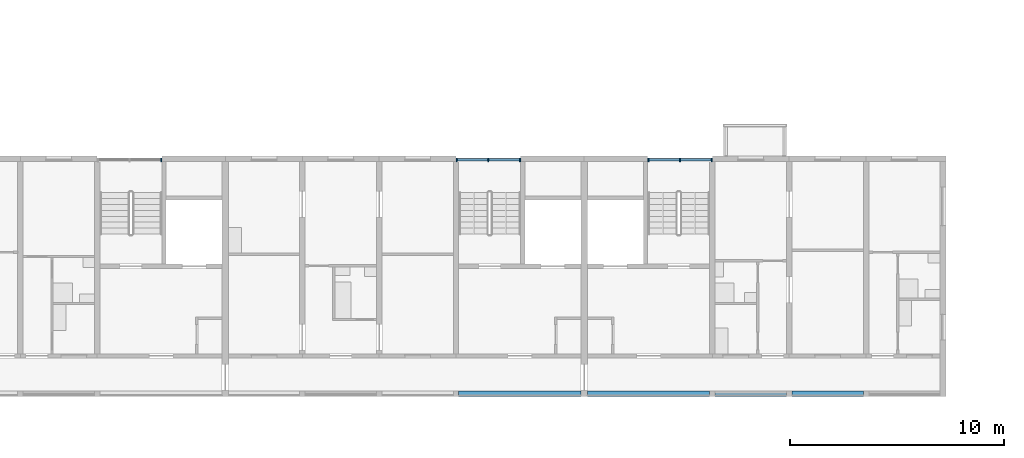
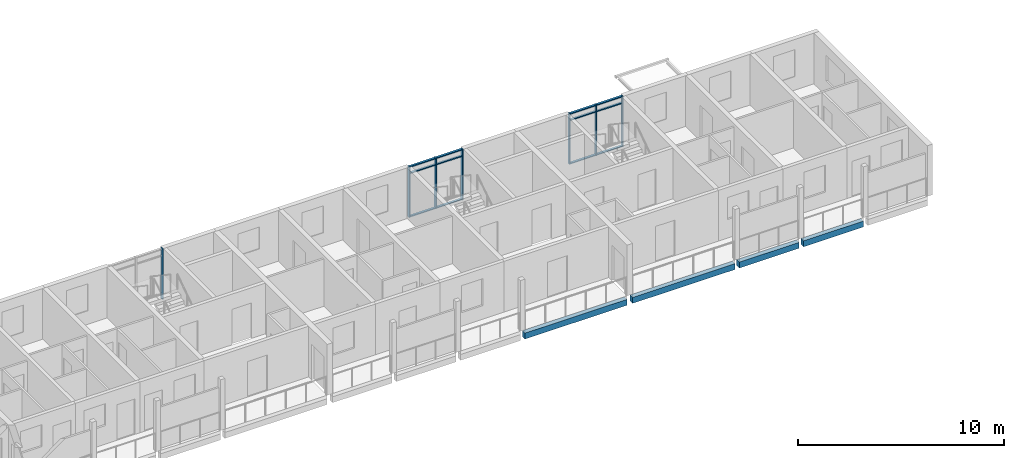
# One storey, part 9 of 100: 19 members, 4 beams, 3 elements without a shape of their own.
"""IFC4 building model written with IfcOpenShell, lengths in metres."""

from ifc_helpers import new_model, si_unit, direction, frame, origin, origin_2d, place, context, subcontext, project, spatial, rectangle, extrude, material, material_profile, profile_set, type_object, element, aggregate, save


model = new_model("IFC4")

# Units and contexts
model_context = context("Model", 3, precision=1e-05, world=origin(), true_north=direction((0.0, 1.0)))
body_context = subcontext(model_context, "Body", "Model", "MODEL_VIEW")
ifc_project = project(units=[si_unit("LENGTHUNIT", "METRE"), si_unit("AREAUNIT", "SQUARE_METRE"), si_unit("VOLUMEUNIT", "CUBIC_METRE"), si_unit("PLANEANGLEUNIT", "RADIAN"), si_unit("MASSUNIT", "GRAM", prefix="KILO")], contexts=[model_context])

# Site, building, storey
site_placement = place(None, origin())
site = spatial("IfcSite", under=ifc_project, at=site_placement, CompositionType="ELEMENT")
building_placement = place(site_placement, origin())
building = spatial("IfcBuilding", under=site, at=building_placement, Name="Ridgestep Commons", CompositionType="ELEMENT")
storey_placement = place(building_placement, frame((0.0, 0.0, 9.0)))
storey = spatial("IfcBuildingStorey", under=building, at=storey_placement, Name="L03", CompositionType="ELEMENT", Elevation=9.0)

# Beams
ifc_material_1 = material(Name="Precast concrete C40/50", Category="concrete")
ifc_material_profile_1 = material_profile(ifc_material_1, rectangle(XDim=0.25, YDim=0.35009765625, at=origin_2d()), Name="PC 250x350")
ifc_profile_set_1 = profile_set([ifc_material_profile_1], Name="Precast concrete C40/50")
beam_type = type_object("IfcBeamType", Name="Loggia edge beam 250 x 350", PredefinedType="SPANDREL", material=ifc_profile_set_1)
for number, where, z_axis, x_axis, name in (
    (1, (90.125, 11.875, -0.375), (1.0, 0.0, 0.0), (0.0, 1.0, 0.0), "Loggia edge beam A5C L03"),
    (2, (96.14990234375, 11.875, -0.375), (1.0, 0.0, 0.0), (0.0, 1.0, 0.0), "Loggia edge beam A6C L03"),
):
    element("IfcBeam", number, at=place(storey_placement, frame(where, z_axis=z_axis, x_axis=x_axis)), inside=storey, type_object=beam_type, Name=name, PredefinedType="SPANDREL", context=body_context, shape_type="SweptSolid", body=[
        extrude(rectangle(XDim=0.25, YDim=0.35009765625, at=origin_2d()), origin(), (0.0, 0.0, 1.0), 5.72509765625),
    ])
beam_1_placement = place(storey_placement, frame((102.125, 11.875, -0.375), z_axis=(1.0, 0.0, 0.0), x_axis=(0.0, 1.0, 0.0)))
element("IfcBeam", 3, at=beam_1_placement, inside=storey, type_object=beam_type, Name="Loggia edge beam A6T3 L03", PredefinedType="SPANDREL", context=body_context, shape_type="SweptSolid", body=[
    extrude(rectangle(XDim=0.25, YDim=0.35009765625, at=origin_2d()), origin(), (0.0, 0.0, 1.0), 3.35009765625),
])
beam_2_placement = place(storey_placement, frame((105.72509765625, 11.875, -0.375), z_axis=(1.0, 0.0, 0.0), x_axis=(0.0, 1.0, 0.0)))
element("IfcBeam", 4, at=beam_2_placement, inside=storey, type_object=beam_type, Name="Loggia edge beam A6T2 L03", PredefinedType="SPANDREL", context=body_context, shape_type="SweptSolid", body=[
    extrude(rectangle(XDim=0.25, YDim=0.35009765625, at=origin_2d()), origin(), (0.0, 0.0, 1.0), 3.349853515625),
])

# Curtain wall, member
ifc_material_2 = material(Name="Aluminium 6063-T6 and glass", Category="aluminium")
curtain_wall_type = type_object("IfcCurtainWallType", Name="Curtain wall stair strip", PredefinedType="NOTDEFINED", material=ifc_material_2)
curtain_wall_1_placement = place(storey_placement, origin())
curtain_wall_1 = element("IfcCurtainWall", 5, at=curtain_wall_1_placement, inside=storey, type_object=curtain_wall_type, Name="Curtain wall A4C level 03", PredefinedType="NOTDEFINED")
ifc_material_3 = material(Name="Aluminium 6063-T6", Category="aluminium")
ifc_material_profile_2 = material_profile(ifc_material_3, rectangle(XDim=0.159912109375, YDim=0.06005859375, at=origin_2d()), Name="Mullion 60 x 160")
ifc_profile_set_2 = profile_set([ifc_material_profile_2], Name="Aluminium 6063-T6")
member_type_1 = type_object("IfcMemberType", Name="Mullion 60 x 160", PredefinedType="MULLION", material=ifc_profile_set_2)
member_1_placement = place(storey_placement, frame((76.195068359375, 22.830078125, 0.0), z_axis=(0.0, 0.0, 1.0), x_axis=(0.0, 1.0, 0.0)))
member_1 = element("IfcMember", 6, at=member_1_placement, type_object=member_type_1, Name="CW1 mullion 3", PredefinedType="MULLION", context=body_context, shape_type="SweptSolid", body=[
    extrude(rectangle(XDim=0.159912109375, YDim=0.06005859375, at=origin_2d()), origin(), (0.0, 0.0, 1.0), 3.0),
])
aggregate(curtain_wall_1, [member_1])

# Curtain wall, members
curtain_wall_2_placement = place(storey_placement, origin())
curtain_wall_2 = element("IfcCurtainWall", 7, at=curtain_wall_2_placement, inside=storey, type_object=curtain_wall_type, Name="Curtain wall A5C level 03", PredefinedType="NOTDEFINED")
member_2_placement = place(storey_placement, frame((90.030029296875, 22.830078125, 0.0), z_axis=(0.0, 0.0, 1.0), x_axis=(0.0, 1.0, 0.0)))
member_2 = element("IfcMember", 8, at=member_2_placement, type_object=member_type_1, Name="CW1 mullion 1", PredefinedType="MULLION", context=body_context, shape_type="SweptSolid", body=[
    extrude(rectangle(XDim=0.159912109375, YDim=0.06005859375, at=origin_2d()), origin(), (0.0, 0.0, 1.0), 3.0),
])
member_3_placement = place(storey_placement, frame((91.512451171875, 22.830078125, 0.0), z_axis=(0.0, 0.0, 1.0), x_axis=(0.0, 1.0, 0.0)))
member_3 = element("IfcMember", 9, at=member_3_placement, type_object=member_type_1, Name="CW1 mullion 2", PredefinedType="MULLION", context=body_context, shape_type="SweptSolid", body=[
    extrude(rectangle(XDim=0.159912109375, YDim=0.06005859375, at=origin_2d()), origin(), (0.0, 0.0, 1.0), 3.0),
])
member_4_placement = place(storey_placement, frame((92.9951171875, 22.830078125, 0.0), z_axis=(0.0, 0.0, 1.0), x_axis=(0.0, 1.0, 0.0)))
member_4 = element("IfcMember", 10, at=member_4_placement, type_object=member_type_1, Name="CW1 mullion 3", PredefinedType="MULLION", context=body_context, shape_type="SweptSolid", body=[
    extrude(rectangle(XDim=0.159912109375, YDim=0.06005859375, at=origin_2d()), origin(), (0.0, 0.0, 1.0), 3.0),
])

curtain_wall_3_placement = place(storey_placement, origin())
curtain_wall_3 = element("IfcCurtainWall", 11, at=curtain_wall_3_placement, inside=storey, type_object=curtain_wall_type, Name="Curtain wall A6C level 03", PredefinedType="NOTDEFINED")
member_5_placement = place(storey_placement, frame((99.0048828125, 22.830078125, 0.0), z_axis=(0.0, 0.0, 1.0), x_axis=(0.0, 1.0, 0.0)))
member_5 = element("IfcMember", 12, at=member_5_placement, type_object=member_type_1, Name="CW1 mullion 1", PredefinedType="MULLION", context=body_context, shape_type="SweptSolid", body=[
    extrude(rectangle(XDim=0.159912109375, YDim=0.06005859375, at=origin_2d()), origin(), (0.0, 0.0, 1.0), 3.0),
])
member_6_placement = place(storey_placement, frame((100.487548828125, 22.830078125, 0.0), z_axis=(0.0, 0.0, 1.0), x_axis=(0.0, 1.0, 0.0)))
member_6 = element("IfcMember", 13, at=member_6_placement, type_object=member_type_1, Name="CW1 mullion 2", PredefinedType="MULLION", context=body_context, shape_type="SweptSolid", body=[
    extrude(rectangle(XDim=0.159912109375, YDim=0.06005859375, at=origin_2d()), origin(), (0.0, 0.0, 1.0), 3.0),
])
member_7_placement = place(storey_placement, frame((101.969970703125, 22.830078125, 0.0), z_axis=(0.0, 0.0, 1.0), x_axis=(0.0, 1.0, 0.0)))
member_7 = element("IfcMember", 14, at=member_7_placement, type_object=member_type_1, Name="CW1 mullion 3", PredefinedType="MULLION", context=body_context, shape_type="SweptSolid", body=[
    extrude(rectangle(XDim=0.159912109375, YDim=0.06005859375, at=origin_2d()), origin(), (0.0, 0.0, 1.0), 3.0),
])

# Member
ifc_material_4 = material(Name="Aluminium 6063-T6", Category="aluminium")
ifc_material_profile_3 = material_profile(ifc_material_4, rectangle(XDim=0.1201171875, YDim=0.06005859375, at=origin_2d()), Name="Transom 60 x 120")
ifc_profile_set_3 = profile_set([ifc_material_profile_3], Name="Aluminium 6063-T6")
member_type_2 = type_object("IfcMemberType", Name="Transom 60 x 120", PredefinedType="USERDEFINED", material=ifc_profile_set_3)
member_8_placement = place(storey_placement, frame((90.06005859375, 22.830078125, 0.030029296875), z_axis=(1.0, 0.0, 0.0), x_axis=(0.0, 1.0, 0.0)))
member_8 = element("IfcMember", 15, at=member_8_placement, type_object=member_type_2, Name="CW1 transom 1.1", ObjectType="TRANSOM", PredefinedType="USERDEFINED", context=body_context, shape_type="SweptSolid", body=[
    extrude(rectangle(XDim=0.1201171875, YDim=0.06005859375, at=origin_2d()), origin(), (0.0, 0.0, 1.0), 1.42236328125),
])

member_9_placement = place(storey_placement, frame((90.06005859375, 22.830078125, 2.590087890625), z_axis=(1.0, 0.0, 0.0), x_axis=(0.0, 1.0, 0.0)))
member_9 = element("IfcMember", 16, at=member_9_placement, type_object=member_type_2, Name="CW1 transom 1.2", ObjectType="TRANSOM", PredefinedType="USERDEFINED", context=body_context, shape_type="SweptSolid", body=[
    extrude(rectangle(XDim=0.1201171875, YDim=0.06005859375, at=origin_2d()), origin(), (0.0, 0.0, 1.0), 1.42236328125),
])

member_10_placement = place(storey_placement, frame((90.06005859375, 22.830078125, 2.969970703125), z_axis=(1.0, 0.0, 0.0), x_axis=(0.0, 1.0, 0.0)))
member_10 = element("IfcMember", 17, at=member_10_placement, type_object=member_type_2, Name="CW1 transom 1.3", ObjectType="TRANSOM", PredefinedType="USERDEFINED", context=body_context, shape_type="SweptSolid", body=[
    extrude(rectangle(XDim=0.1201171875, YDim=0.06005859375, at=origin_2d()), origin(), (0.0, 0.0, 1.0), 1.42236328125),
])

member_11_placement = place(storey_placement, frame((91.54248046875, 22.830078125, 0.030029296875), z_axis=(1.0, 0.0, 0.0), x_axis=(0.0, 1.0, 0.0)))
member_11 = element("IfcMember", 18, at=member_11_placement, type_object=member_type_2, Name="CW1 transom 2.1", ObjectType="TRANSOM", PredefinedType="USERDEFINED", context=body_context, shape_type="SweptSolid", body=[
    extrude(rectangle(XDim=0.1201171875, YDim=0.06005859375, at=origin_2d()), origin(), (0.0, 0.0, 1.0), 1.422607421875),
])

member_12_placement = place(storey_placement, frame((91.54248046875, 22.830078125, 2.590087890625), z_axis=(1.0, 0.0, 0.0), x_axis=(0.0, 1.0, 0.0)))
member_12 = element("IfcMember", 19, at=member_12_placement, type_object=member_type_2, Name="CW1 transom 2.2", ObjectType="TRANSOM", PredefinedType="USERDEFINED", context=body_context, shape_type="SweptSolid", body=[
    extrude(rectangle(XDim=0.1201171875, YDim=0.06005859375, at=origin_2d()), origin(), (0.0, 0.0, 1.0), 1.422607421875),
])

member_13_placement = place(storey_placement, frame((91.54248046875, 22.830078125, 2.969970703125), z_axis=(1.0, 0.0, 0.0), x_axis=(0.0, 1.0, 0.0)))
member_13 = element("IfcMember", 20, at=member_13_placement, type_object=member_type_2, Name="CW1 transom 2.3", ObjectType="TRANSOM", PredefinedType="USERDEFINED", context=body_context, shape_type="SweptSolid", body=[
    extrude(rectangle(XDim=0.1201171875, YDim=0.06005859375, at=origin_2d()), origin(), (0.0, 0.0, 1.0), 1.422607421875),
])

aggregate(curtain_wall_2, [member_2, member_3, member_4, member_8, member_9, member_10, member_11, member_12, member_13])

member_14_placement = place(storey_placement, frame((99.034912109375, 22.830078125, 0.030029296875), z_axis=(1.0, 0.0, 0.0), x_axis=(0.0, 1.0, 0.0)))
member_14 = element("IfcMember", 21, at=member_14_placement, type_object=member_type_2, Name="CW1 transom 1.1", ObjectType="TRANSOM", PredefinedType="USERDEFINED", context=body_context, shape_type="SweptSolid", body=[
    extrude(rectangle(XDim=0.1201171875, YDim=0.06005859375, at=origin_2d()), origin(), (0.0, 0.0, 1.0), 1.422607421875),
])

member_15_placement = place(storey_placement, frame((99.034912109375, 22.830078125, 2.590087890625), z_axis=(1.0, 0.0, 0.0), x_axis=(0.0, 1.0, 0.0)))
member_15 = element("IfcMember", 22, at=member_15_placement, type_object=member_type_2, Name="CW1 transom 1.2", ObjectType="TRANSOM", PredefinedType="USERDEFINED", context=body_context, shape_type="SweptSolid", body=[
    extrude(rectangle(XDim=0.1201171875, YDim=0.06005859375, at=origin_2d()), origin(), (0.0, 0.0, 1.0), 1.422607421875),
])

member_16_placement = place(storey_placement, frame((99.034912109375, 22.830078125, 2.969970703125), z_axis=(1.0, 0.0, 0.0), x_axis=(0.0, 1.0, 0.0)))
member_16 = element("IfcMember", 23, at=member_16_placement, type_object=member_type_2, Name="CW1 transom 1.3", ObjectType="TRANSOM", PredefinedType="USERDEFINED", context=body_context, shape_type="SweptSolid", body=[
    extrude(rectangle(XDim=0.1201171875, YDim=0.06005859375, at=origin_2d()), origin(), (0.0, 0.0, 1.0), 1.422607421875),
])

member_17_placement = place(storey_placement, frame((100.517578125, 22.830078125, 0.030029296875), z_axis=(1.0, 0.0, 0.0), x_axis=(0.0, 1.0, 0.0)))
member_17 = element("IfcMember", 24, at=member_17_placement, type_object=member_type_2, Name="CW1 transom 2.1", ObjectType="TRANSOM", PredefinedType="USERDEFINED", context=body_context, shape_type="SweptSolid", body=[
    extrude(rectangle(XDim=0.1201171875, YDim=0.06005859375, at=origin_2d()), origin(), (0.0, 0.0, 1.0), 1.42236328125),
])

member_18_placement = place(storey_placement, frame((100.517578125, 22.830078125, 2.590087890625), z_axis=(1.0, 0.0, 0.0), x_axis=(0.0, 1.0, 0.0)))
member_18 = element("IfcMember", 25, at=member_18_placement, type_object=member_type_2, Name="CW1 transom 2.2", ObjectType="TRANSOM", PredefinedType="USERDEFINED", context=body_context, shape_type="SweptSolid", body=[
    extrude(rectangle(XDim=0.1201171875, YDim=0.06005859375, at=origin_2d()), origin(), (0.0, 0.0, 1.0), 1.42236328125),
])

member_19_placement = place(storey_placement, frame((100.517578125, 22.830078125, 2.969970703125), z_axis=(1.0, 0.0, 0.0), x_axis=(0.0, 1.0, 0.0)))
member_19 = element("IfcMember", 26, at=member_19_placement, type_object=member_type_2, Name="CW1 transom 2.3", ObjectType="TRANSOM", PredefinedType="USERDEFINED", context=body_context, shape_type="SweptSolid", body=[
    extrude(rectangle(XDim=0.1201171875, YDim=0.06005859375, at=origin_2d()), origin(), (0.0, 0.0, 1.0), 1.42236328125),
])

aggregate(curtain_wall_3, [member_5, member_6, member_7, member_14, member_15, member_16, member_17, member_18, member_19])

save(model, "model.ifc")
